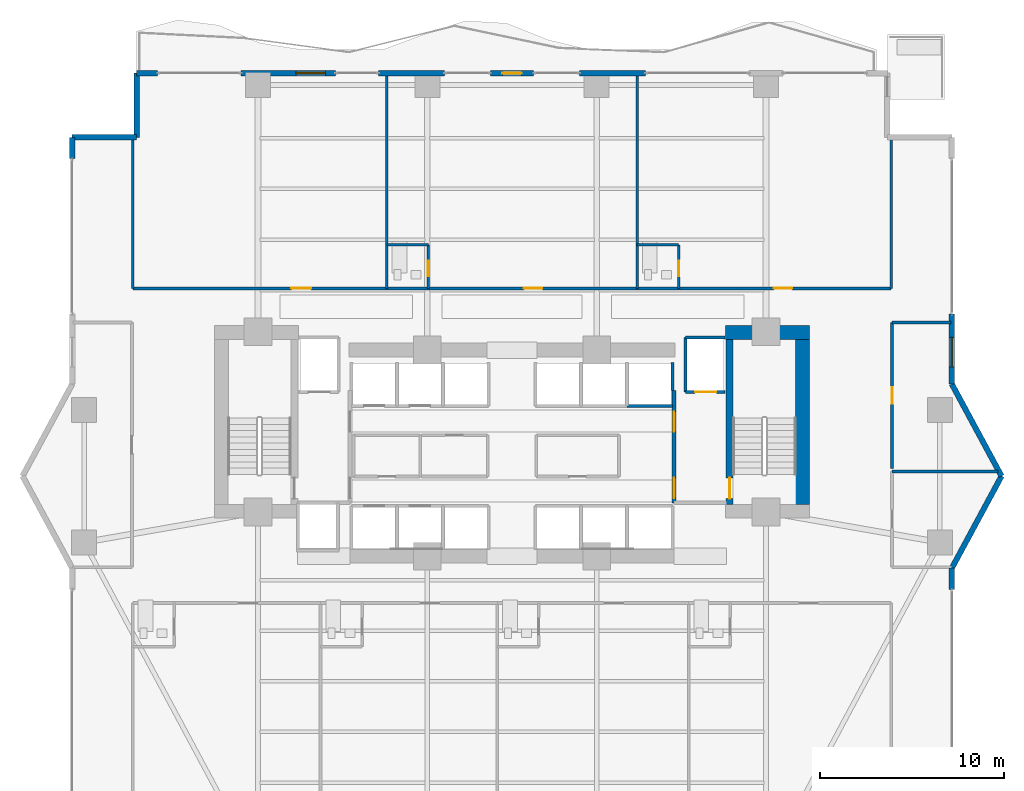
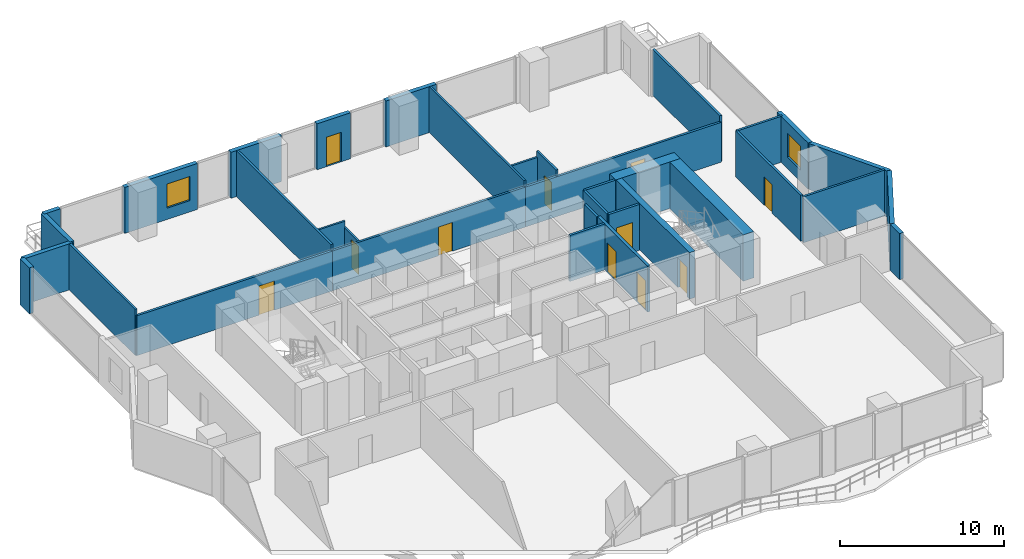
# One storey, part 23 of 28: 35 walls, 11 doors, 2 windows, 13 openings.
"""IFC4 building model written with IfcOpenShell, lengths in metres."""

from ifc_helpers import new_model, si_unit, direction, frame, frame_2d, origin, place, context, subcontext, project, spatial, rectangle, extrude, material, layer, layer_set, type_object, element, fill, save


model = new_model("IFC4")

# Units and contexts
model_context = context("Model", 3, precision=1e-05, world=origin(), true_north=direction((0.0, 1.0)))
body_context = subcontext(model_context, "Body", "Model", "MODEL_VIEW")
ifc_project = project(units=[si_unit("LENGTHUNIT", "METRE"), si_unit("AREAUNIT", "SQUARE_METRE"), si_unit("VOLUMEUNIT", "CUBIC_METRE"), si_unit("PLANEANGLEUNIT", "RADIAN"), si_unit("MASSUNIT", "GRAM", prefix="KILO")], contexts=[model_context])

# Site, building, storey
site_placement = place(None, origin())
site = spatial("IfcSite", under=ifc_project, at=site_placement, CompositionType="ELEMENT")
building_placement = place(site_placement, origin())
building = spatial("IfcBuilding", under=site, at=building_placement, Name="Zuhayl Quay Hotel", CompositionType="ELEMENT")
storey_placement = place(building_placement, frame((0.0, 0.0, 139.449951171875)))
storey = spatial("IfcBuildingStorey", under=building, at=storey_placement, Name="L35", CompositionType="ELEMENT", Elevation=139.449951171875)

# Walls
ifc_material_1 = material(Name="Concrete C60/75", Category="concrete")
ifc_layer_1 = layer(ifc_material_1, 0.75, Name="Concrete C60/75", Category="concrete")
ifc_layer_set_1 = layer_set([ifc_layer_1], Name="Concrete C60/75")
wall_type_1 = type_object("IfcWallType", Name="WL_CORE_750", PredefinedType="SHEAR", material=ifc_layer_set_1)
wall_1_placement = place(storey_placement, frame((11.60009765625, 14.304931640625, 0.0), z_axis=(0.0, 0.0, 1.0), x_axis=(1.0, 0.0, 0.0)))
element("IfcWall", 1, at=wall_1_placement, inside=storey, type_object=wall_type_1, Name="L35 Core Shear Wall CW_NE", PredefinedType="SHEAR", context=body_context, shape_type="SweptSolid", body=[
    extrude(rectangle(XDim=4.559814453125, YDim=0.75, at=frame_2d((2.27978515625, 0.0))), origin(), (0.0, 0.0, 1.0), 3.4599609375),
])
wall_2_placement = place(storey_placement, frame((15.784912109375, 4.969970703125, 0.0), z_axis=(0.0, 0.0, 1.0), x_axis=(0.0, 1.0, 0.0)))
element("IfcWall", 2, at=wall_2_placement, inside=storey, type_object=wall_type_1, Name="L35 Core Shear Wall CW_E", PredefinedType="SHEAR", context=body_context, shape_type="SweptSolid", body=[
    extrude(rectangle(XDim=8.9599609375, YDim=0.75, at=frame_2d((4.47998046875, 0.0))), origin(), (0.0, 0.0, 1.0), 3.4599609375),
])
ifc_material_2 = material(Name="Precast concrete C45/55", Category="concrete")
ifc_layer_2 = layer(ifc_material_2, 0.300048828125, Name="Precast concrete C45/55", Category="concrete")
ifc_layer_set_2 = layer_set([ifc_layer_2], Name="Precast concrete C45/55")
wall_type_2 = type_object("IfcWallType", Name="WL_EXT_300", PredefinedType="STANDARD", material=ifc_layer_set_2)
wall_3_placement = place(storey_placement, frame((-23.89990234375, 23.75, 0.0), z_axis=(0.0, 0.0, 1.0), x_axis=(0.0, 1.0, 0.0)))
element("IfcWall", 3, at=wall_3_placement, inside=storey, type_object=wall_type_2, Name="L35 Exterior Precast Wall ENV_L35_E05_EW2", PredefinedType="STANDARD", context=body_context, shape_type="SweptSolid", body=[
    extrude(rectangle(XDim=1.14990234375, YDim=0.300048828125, at=frame_2d((0.574951171875, 0.0))), origin(), (0.0, 0.0, 1.0), 3.429931640625),
])
for number, where, z_axis, x_axis, name in (
    (4, (-23.89990234375, 24.89990234375, 0.0), (0.0, 0.0, 1.0), (1.0, 0.0, 0.0), "L35 Exterior Precast Wall ENV_L35_EW06"),
    (5, (-20.39990234375, 24.89990234375, 0.0), (0.0, 0.0, 1.0), (0.0, 1.0, 0.0), "L35 Exterior Precast Wall ENV_L35_EW07"),
):
    element("IfcWall", number, at=place(storey_placement, frame(where, z_axis=z_axis, x_axis=x_axis)), inside=storey, type_object=wall_type_2, Name=name, PredefinedType="STANDARD", context=body_context, shape_type="SweptSolid", body=[
        extrude(rectangle(XDim=3.5, YDim=0.300048828125, at=frame_2d((1.75, 0.0))), origin(), (0.0, 0.0, 1.0), 3.429931640625),
    ])
wall_4_placement = place(storey_placement, frame((-20.39990234375, 28.39990234375, 0.0), z_axis=(0.0, 0.0, 1.0), x_axis=(1.0, 0.0, 0.0)))
element("IfcWall", 6, at=wall_4_placement, inside=storey, type_object=wall_type_2, Name="L35 Exterior Precast Wall ENV_L35_N_EW1", PredefinedType="STANDARD", context=body_context, shape_type="SweptSolid", body=[
    extrude(rectangle(XDim=1.14990234375, YDim=0.300048828125, at=frame_2d((0.574951171875, 0.0))), origin(), (0.0, 0.0, 1.0), 3.429931640625),
])

# Wall, opening, window
wall_5_placement = place(storey_placement, frame((-14.719970703125, 28.39990234375, 0.0), z_axis=(0.0, 0.0, 1.0), x_axis=(1.0, 0.0, 0.0)))
wall_5 = element("IfcWall", 7, at=wall_5_placement, inside=storey, type_object=wall_type_2, Name="L35 Exterior Precast Wall ENV_L35_N_EW2", PredefinedType="STANDARD", context=body_context, shape_type="SweptSolid", body=[
    extrude(rectangle(XDim=5.1298828125, YDim=0.300048828125, at=frame_2d((2.56494140625, 0.0))), origin(), (0.0, 0.0, 1.0), 3.429931640625),
])
opening_1_placement = place(wall_5_placement, frame((2.97998046875, 0.0, 0.85009765625)))
opening_1 = element("IfcOpeningElement", 8, at=opening_1_placement, cuts=wall_5, Name="Opening W01", PredefinedType="OPENING", context=body_context, shape_type="SweptSolid", body=[
    extrude(rectangle(XDim=1.60009765625, YDim=1.800048828125, at=frame_2d((0.800048828125, 0.89990234375))), frame((0.0, 0.159912109375, 0.0), z_axis=(0.0, -1.0, 0.0), x_axis=(1.0, 0.0, 0.0)), (0.0, 0.0, 1.0), 0.320068359375),
])
ifc_material_3 = material(Name="Dark Ceramic-Fritted Solar Glass", Category="glass")
window_type = type_object("IfcWindowType", Name="WN_OPERABLE_1600", PartitioningType="DOUBLE_PANEL_VERTICAL", PredefinedType="WINDOW", material=ifc_material_3)
window_1_placement = place(opening_1_placement, origin())
window_1 = element("IfcWindow", 9, at=window_1_placement, inside=storey, type_object=window_type, Name="L35 North Operable Casement Window", OverallHeight=1.800048828125, OverallWidth=1.60009765625, PartitioningType="SINGLE_PANEL", PredefinedType="WINDOW", context=body_context, shape_type="SweptSolid", body=[
    extrude(rectangle(XDim=1.60009765625, YDim=1.800048828125, at=frame_2d((0.800048828125, 0.89990234375))), frame((0.0, 0.030029296875, 0.0), z_axis=(0.0, -1.0, 0.0), x_axis=(1.0, 0.0, 0.0)), (0.0, 0.0, 1.0), 0.06005859375),
])
fill(opening_1, window_1)

# Wall
wall_6_placement = place(storey_placement, frame((-7.25, 28.39990234375, 0.0), z_axis=(0.0, 0.0, 1.0), x_axis=(1.0, 0.0, 0.0)))
element("IfcWall", 10, at=wall_6_placement, inside=storey, type_object=wall_type_2, Name="L35 Exterior Precast Wall ENV_L35_N_EW3", PredefinedType="STANDARD", context=body_context, shape_type="SweptSolid", body=[
    extrude(rectangle(XDim=3.570068359375, YDim=0.300048828125, at=frame_2d((1.78515625, 0.0))), origin(), (0.0, 0.0, 1.0), 3.429931640625),
])

# Wall, opening, door
wall_7_placement = place(storey_placement, frame((-1.175048828125, 28.39990234375, 0.0), z_axis=(0.0, 0.0, 1.0), x_axis=(1.0, 0.0, 0.0)))
wall_7 = element("IfcWall", 11, at=wall_7_placement, inside=storey, type_object=wall_type_2, Name="L35 Exterior Precast Wall ENV_L35_N_EW4", PredefinedType="STANDARD", context=body_context, shape_type="SweptSolid", body=[
    extrude(rectangle(XDim=2.35009765625, YDim=0.300048828125, at=frame_2d((1.175048828125, 0.0))), origin(), (0.0, 0.0, 1.0), 3.429931640625),
])
opening_2_placement = place(wall_7_placement, frame((0.64990234375, 0.0, 0.0)))
opening_2 = element("IfcOpeningElement", 12, at=opening_2_placement, cuts=wall_7, Name="Opening DG1", PredefinedType="OPENING", context=body_context, shape_type="SweptSolid", body=[
    extrude(rectangle(XDim=1.050048828125, YDim=2.199951171875, at=frame_2d((0.52490234375, 1.10009765625))), frame((0.0, 0.159912109375, 0.0), z_axis=(0.0, -1.0, 0.0), x_axis=(1.0, 0.0, 0.0)), (0.0, 0.0, 1.0), 0.320068359375),
])
ifc_material_4 = material(Name="Anodised Aluminium and Dark Solar Glass", Category="aluminium")
door_type_1 = type_object("IfcDoorType", Name="DR_EXT_TERR_1050", OperationType="NOTDEFINED", PredefinedType="DOOR", material=ifc_material_4)
door_1_placement = place(opening_2_placement, origin())
door_1 = element("IfcDoor", 13, at=door_1_placement, inside=storey, type_object=door_type_1, Name="L35 North Rippling Balcony Door", OperationType="SINGLE_SWING_LEFT", OverallHeight=2.199951171875, OverallWidth=1.050048828125, PredefinedType="DOOR", context=body_context, shape_type="SweptSolid", body=[
    extrude(rectangle(XDim=1.050048828125, YDim=2.199951171875, at=frame_2d((0.52490234375, 1.10009765625))), frame((0.0, 0.02490234375, 0.0), z_axis=(0.0, -1.0, 0.0), x_axis=(1.0, 0.0, 0.0)), (0.0, 0.0, 1.0), 0.050048828125),
])
fill(opening_2, door_1)

# Wall
wall_8_placement = place(storey_placement, frame((3.679931640625, 28.39990234375, 0.0), z_axis=(0.0, 0.0, 1.0), x_axis=(1.0, 0.0, 0.0)))
element("IfcWall", 14, at=wall_8_placement, inside=storey, type_object=wall_type_2, Name="L35 Exterior Precast Wall ENV_L35_N_EW5", PredefinedType="STANDARD", context=body_context, shape_type="SweptSolid", body=[
    extrude(rectangle(XDim=3.570068359375, YDim=0.300048828125, at=frame_2d((1.78515625, 0.0))), origin(), (0.0, 0.0, 1.0), 3.429931640625),
])

# Wall, opening, window
wall_9_placement = place(storey_placement, frame((23.89990234375, 15.300048828125, 0.0), z_axis=(0.0, 0.0, 1.0), x_axis=(0.0, -1.0, 0.0)))
wall_9 = element("IfcWall", 15, at=wall_9_placement, inside=storey, type_object=wall_type_2, Name="L35 Exterior Precast Wall ENV_L35_E11_EW2", PredefinedType="STANDARD", context=body_context, shape_type="SweptSolid", body=[
    extrude(rectangle(XDim=3.800048828125, YDim=0.300048828125, at=frame_2d((1.89990234375, 0.0))), origin(), (0.0, 0.0, 1.0), 3.429931640625),
])
opening_3_placement = place(wall_9_placement, frame((1.264892578125, 0.0, 0.85009765625)))
opening_3 = element("IfcOpeningElement", 16, at=opening_3_placement, cuts=wall_9, Name="Opening W01", PredefinedType="OPENING", context=body_context, shape_type="SweptSolid", body=[
    extrude(rectangle(XDim=1.60009765625, YDim=1.800048828125, at=frame_2d((0.800048828125, 0.89990234375))), frame((0.0, 0.159912109375, 0.0), z_axis=(0.0, -1.0, 0.0), x_axis=(1.0, 0.0, 0.0)), (0.0, 0.0, 1.0), 0.320068359375),
])
window_2_placement = place(opening_3_placement, origin())
window_2 = element("IfcWindow", 17, at=window_2_placement, inside=storey, type_object=window_type, Name="L35 Operable Facade Window 2-1", OverallHeight=1.800048828125, OverallWidth=1.60009765625, PartitioningType="SINGLE_PANEL", PredefinedType="WINDOW", context=body_context, shape_type="SweptSolid", body=[
    extrude(rectangle(XDim=1.60009765625, YDim=1.800048828125, at=frame_2d((0.800048828125, 0.89990234375))), frame((0.0, 0.030029296875, 0.0), z_axis=(0.0, -1.0, 0.0), x_axis=(1.0, 0.0, 0.0)), (0.0, 0.0, 1.0), 0.06005859375),
])
fill(opening_3, window_2)

# Walls
for number, where, z_axis, x_axis, name in (
    (18, (23.89990234375, 11.5, 0.0), (0.0, 0.0, 1.0), (0.475175525499, -0.879891027325, 0.0), "L35 Exterior Precast Wall ENV_L35_EW12"),
    (19, (26.60009765625, 6.5, 0.0), (0.0, 0.0, 1.0), (-0.475175525499, -0.879891027325, 0.0), "L35 Exterior Precast Wall ENV_L35_EW13"),
):
    element("IfcWall", number, at=place(storey_placement, frame(where, z_axis=z_axis, x_axis=x_axis)), inside=storey, type_object=wall_type_2, Name=name, PredefinedType="STANDARD", context=body_context, shape_type="SweptSolid", body=[
        extrude(rectangle(XDim=5.6826171875, YDim=0.300048828125, at=frame_2d((2.84130859375, 0.0))), origin(), (0.0, 0.0, 1.0), 3.429931640625),
    ])
wall_10_placement = place(storey_placement, frame((23.89990234375, 1.5, 0.0), z_axis=(0.0, 0.0, 1.0), x_axis=(0.0, -1.0, 0.0)))
element("IfcWall", 20, at=wall_10_placement, inside=storey, type_object=wall_type_2, Name="L35 Exterior Precast Wall ENV_L35_E14_EW1", PredefinedType="STANDARD", context=body_context, shape_type="SweptSolid", body=[
    extrude(rectangle(XDim=1.14990234375, YDim=0.300048828125, at=frame_2d((0.574951171875, 0.0))), origin(), (0.0, 0.0, 1.0), 3.429931640625),
])
ifc_material_5 = material(Name="Acoustic Gypsum Partition STC-58")
ifc_layer_3 = layer(ifc_material_5, 0.14990234375, Name="Acoustic Gypsum Partition STC-58")
ifc_layer_set_3 = layer_set([ifc_layer_3], Name="Acoustic Gypsum Partition STC-58")
wall_type_3 = type_object("IfcWallType", Name="WL_PART_150", PredefinedType="PARTITIONING", material=ifc_layer_set_3)
wall_11_placement = place(storey_placement, frame((-20.60009765625, 16.699951171875, 0.0), z_axis=(0.0, 0.0, 1.0), x_axis=(0.0, 1.0, 0.0)))
element("IfcWall", 21, at=wall_11_placement, inside=storey, type_object=wall_type_3, Name="L35 Partition IW_L35_NSAL_0_W", PredefinedType="PARTITIONING", context=body_context, shape_type="SweptSolid", body=[
    extrude(rectangle(XDim=8.14013671875, YDim=0.14990234375, at=frame_2d((4.070068359375, 0.0))), origin(), (0.0, 0.0, 1.0), 3.429931640625),
])
wall_12_placement = place(storey_placement, frame((-6.800048828125, 16.699951171875, 0.0), z_axis=(0.0, 0.0, 1.0), x_axis=(0.0, 1.0, 0.0)))
element("IfcWall", 22, at=wall_12_placement, inside=storey, type_object=wall_type_3, Name="L35 Partition IW_L35_NSAL_0_E", PredefinedType="PARTITIONING", context=body_context, shape_type="SweptSolid", body=[
    extrude(rectangle(XDim=11.64013671875, YDim=0.14990234375, at=frame_2d((5.820068359375, 0.0))), origin(), (0.0, 0.0, 1.0), 3.429931640625),
])
wall_13_placement = place(storey_placement, frame((6.800048828125, 16.699951171875, 0.0), z_axis=(0.0, 0.0, 1.0), x_axis=(0.0, 1.0, 0.0)))
element("IfcWall", 23, at=wall_13_placement, inside=storey, type_object=wall_type_3, Name="L35 Partition IW_L35_NU02_E", PredefinedType="PARTITIONING", context=body_context, shape_type="SweptSolid", body=[
    extrude(rectangle(XDim=11.6201171875, YDim=0.14990234375, at=frame_2d((5.81005859375, 0.0))), origin(), (0.0, 0.0, 1.0), 3.429931640625),
])
wall_14_placement = place(storey_placement, frame((20.60009765625, 16.699951171875, 0.0), z_axis=(0.0, 0.0, 1.0), x_axis=(0.0, 1.0, 0.0)))
element("IfcWall", 24, at=wall_14_placement, inside=storey, type_object=wall_type_3, Name="L35 Partition IW_L35_NU03_E", PredefinedType="PARTITIONING", context=body_context, shape_type="SweptSolid", body=[
    extrude(rectangle(XDim=8.199951171875, YDim=0.14990234375, at=frame_2d((4.10009765625, 0.0))), origin(), (0.0, 0.0, 1.0), 3.429931640625),
])
wall_15_placement = place(storey_placement, frame((20.64990234375, 6.75, 0.0), z_axis=(0.0, 0.0, 1.0), x_axis=(1.0, 0.0, 0.0)))
element("IfcWall", 25, at=wall_15_placement, inside=storey, type_object=wall_type_3, Name="L35 Partition IW_L35_HK_MAIN_N", PredefinedType="PARTITIONING", context=body_context, shape_type="SweptSolid", body=[
    extrude(rectangle(XDim=5.755126953125, YDim=0.14990234375, at=frame_2d((2.87744140625, 0.0))), origin(), (0.0, 0.0, 1.0), 3.429931640625),
])
wall_16_placement = place(storey_placement, frame((20.64990234375, 14.85009765625, 0.0), z_axis=(0.0, 0.0, 1.0), x_axis=(1.0, 0.0, 0.0)))
element("IfcWall", 26, at=wall_16_placement, inside=storey, type_object=wall_type_3, Name="L35 Partition IW_L35_EFLK_2_N", PredefinedType="PARTITIONING", context=body_context, shape_type="SweptSolid", body=[
    extrude(rectangle(XDim=3.190185546875, YDim=0.14990234375, at=frame_2d((1.59521484375, 0.0))), origin(), (0.0, 0.0, 1.0), 3.429931640625),
])

# Wall, opening, door
ifc_layer_4 = layer(ifc_material_5, 0.159912109375, Name="Acoustic Gypsum Partition STC-58")
ifc_layer_set_4 = layer_set([ifc_layer_4], Name="Acoustic Gypsum Partition STC-58")
wall_type_4 = type_object("IfcWallType", Name="WL_PART_CORR_160", PredefinedType="PARTITIONING", material=ifc_layer_set_4)
wall_17_placement = place(storey_placement, frame((-20.60009765625, 16.699951171875, 0.0), z_axis=(0.0, 0.0, 1.0), x_axis=(1.0, 0.0, 0.0)))
wall_17 = element("IfcWall", 27, at=wall_17_placement, inside=storey, type_object=wall_type_4, Name="L35 Partition IW_L35_NSAL_0_S", PredefinedType="PARTITIONING", context=body_context, shape_type="SweptSolid", body=[
    extrude(rectangle(XDim=13.800048828125, YDim=0.159912109375, at=frame_2d((6.89990234375, 0.0))), origin(), (0.0, 0.0, 1.0), 2.97314453125),
])
opening_4_placement = place(wall_17_placement, frame((8.610107421875, 0.0, 0.0)))
opening_4 = element("IfcOpeningElement", 28, at=opening_4_placement, cuts=wall_17, Name="Opening D05A", PredefinedType="OPENING", context=body_context, shape_type="SweptSolid", body=[
    extrude(rectangle(XDim=1.080078125, YDim=2.179931640625, at=frame_2d((0.5400390625, 1.08984375))), frame((0.0, 0.08984375, 0.0), z_axis=(0.0, -1.0, 0.0), x_axis=(1.0, 0.0, 0.0)), (0.0, 0.0, 1.0), 0.179931640625),
])
ifc_material_6 = material(Name="Solid Walnut Acoustic Fire Door")
door_type_2 = type_object("IfcDoorType", Name="DR_INT_1100", OperationType="NOTDEFINED", PredefinedType="DOOR", material=ifc_material_6)
door_2_placement = place(opening_4_placement, origin())
door_2 = element("IfcDoor", 29, at=door_2_placement, inside=storey, type_object=door_type_2, Name="L35 Majlis Reception Lounge Door", OperationType="SINGLE_SWING_LEFT", OverallHeight=2.179931640625, OverallWidth=1.080078125, PredefinedType="DOOR", context=body_context, shape_type="SweptSolid", body=[
    extrude(rectangle(XDim=1.080078125, YDim=2.179931640625, at=frame_2d((0.5400390625, 1.08984375))), frame((0.0, 0.02490234375, 0.0), z_axis=(0.0, -1.0, 0.0), x_axis=(1.0, 0.0, 0.0)), (0.0, 0.0, 1.0), 0.050048828125),
])
fill(opening_4, door_2)

wall_18_placement = place(storey_placement, frame((-6.800048828125, 16.699951171875, 0.0), z_axis=(0.0, 0.0, 1.0), x_axis=(1.0, 0.0, 0.0)))
wall_18 = element("IfcWall", 30, at=wall_18_placement, inside=storey, type_object=wall_type_4, Name="L35 Partition IW_L35_NU02_COR", PredefinedType="PARTITIONING", context=body_context, shape_type="SweptSolid", body=[
    extrude(rectangle(XDim=13.60009765625, YDim=0.159912109375, at=frame_2d((6.800048828125, 0.0))), origin(), (0.0, 0.0, 1.0), 2.97314453125),
])
opening_5_placement = place(wall_18_placement, frame((7.449951171875, 0.0, 0.0)))
opening_5 = element("IfcOpeningElement", 31, at=opening_5_placement, cuts=wall_18, Name="Opening D03L", PredefinedType="OPENING", context=body_context, shape_type="SweptSolid", body=[
    extrude(rectangle(XDim=1.0, YDim=2.14990234375, at=frame_2d((0.5, 1.074951171875))), frame((0.0, 0.08984375, 0.0), z_axis=(0.0, -1.0, 0.0), x_axis=(1.0, 0.0, 0.0)), (0.0, 0.0, 1.0), 0.179931640625),
])
door_type_3 = type_object("IfcDoorType", Name="DR_SUITE_1000", OperationType="NOTDEFINED", PredefinedType="DOOR", material=ifc_material_6)
door_3_placement = place(opening_5_placement, origin())
door_3 = element("IfcDoor", 32, at=door_3_placement, inside=storey, type_object=door_type_3, Name="L35 Executive Suite L35-02 Entrance Door", OperationType="SINGLE_SWING_LEFT", OverallHeight=2.14990234375, OverallWidth=1.0, PredefinedType="DOOR", context=body_context, shape_type="SweptSolid", body=[
    extrude(rectangle(XDim=1.0, YDim=2.14990234375, at=frame_2d((0.5, 1.074951171875))), frame((0.0, 0.02490234375, 0.0), z_axis=(0.0, -1.0, 0.0), x_axis=(1.0, 0.0, 0.0)), (0.0, 0.0, 1.0), 0.050048828125),
])
fill(opening_5, door_3)

wall_19_placement = place(storey_placement, frame((6.800048828125, 16.699951171875, 0.0), z_axis=(0.0, 0.0, 1.0), x_axis=(1.0, 0.0, 0.0)))
wall_19 = element("IfcWall", 33, at=wall_19_placement, inside=storey, type_object=wall_type_4, Name="L35 Partition IW_L35_NU03_COR", PredefinedType="PARTITIONING", context=body_context, shape_type="SweptSolid", body=[
    extrude(rectangle(XDim=13.800048828125, YDim=0.159912109375, at=frame_2d((6.89990234375, 0.0))), origin(), (0.0, 0.0, 1.0), 2.97314453125),
])
opening_6_placement = place(wall_19_placement, frame((7.425048828125, 0.0, 0.0)))
opening_6 = element("IfcOpeningElement", 34, at=opening_6_placement, cuts=wall_19, Name="Opening D03L", PredefinedType="OPENING", context=body_context, shape_type="SweptSolid", body=[
    extrude(rectangle(XDim=1.0, YDim=2.14990234375, at=frame_2d((0.5, 1.074951171875))), frame((0.0, 0.08984375, 0.0), z_axis=(0.0, -1.0, 0.0), x_axis=(1.0, 0.0, 0.0)), (0.0, 0.0, 1.0), 0.179931640625),
])
door_4_placement = place(opening_6_placement, origin())
door_4 = element("IfcDoor", 35, at=door_4_placement, inside=storey, type_object=door_type_3, Name="L35 Executive Suite L35-03 Entrance Door", OperationType="SINGLE_SWING_LEFT", OverallHeight=2.14990234375, OverallWidth=1.0, PredefinedType="DOOR", context=body_context, shape_type="SweptSolid", body=[
    extrude(rectangle(XDim=1.0, YDim=2.14990234375, at=frame_2d((0.5, 1.074951171875))), frame((0.0, 0.02490234375, 0.0), z_axis=(0.0, -1.0, 0.0), x_axis=(1.0, 0.0, 0.0)), (0.0, 0.0, 1.0), 0.050048828125),
])
fill(opening_6, door_4)

wall_20_placement = place(storey_placement, frame((20.64990234375, 6.909912109375, 0.0), z_axis=(0.0, 0.0, 1.0), x_axis=(0.0, 1.0, 0.0)))
wall_20 = element("IfcWall", 36, at=wall_20_placement, inside=storey, type_object=wall_type_4, Name="L35 Partition IW_L35_EFLK_2_W", PredefinedType="PARTITIONING", context=body_context, shape_type="SweptSolid", body=[
    extrude(rectangle(XDim=7.940185546875, YDim=0.159912109375, at=frame_2d((3.97021484375, 0.0))), origin(), (0.0, 0.0, 1.0), 3.429931640625),
])
opening_7_placement = place(wall_20_placement, frame((3.510009765625, 0.0, 0.0)))
opening_7 = element("IfcOpeningElement", 37, at=opening_7_placement, cuts=wall_20, Name="Opening D05", PredefinedType="OPENING", context=body_context, shape_type="SweptSolid", body=[
    extrude(rectangle(XDim=0.919921875, YDim=2.1201171875, at=frame_2d((0.4599609375, 1.06005859375))), frame((0.0, 0.08984375, 0.0), z_axis=(0.0, -1.0, 0.0), x_axis=(1.0, 0.0, 0.0)), (0.0, 0.0, 1.0), 0.179931640625),
])
door_type_4 = type_object("IfcDoorType", Name="DR_INT_950", OperationType="NOTDEFINED", PredefinedType="DOOR", material=ifc_material_6)
door_5_placement = place(opening_7_placement, origin())
door_5 = element("IfcDoor", 38, at=door_5_placement, inside=storey, type_object=door_type_4, Name="L35 East Prow Reading Lounge L35 Door", OperationType="SINGLE_SWING_LEFT", OverallHeight=2.1201171875, OverallWidth=0.919921875, PredefinedType="DOOR", context=body_context, shape_type="SweptSolid", body=[
    extrude(rectangle(XDim=0.919921875, YDim=2.1201171875, at=frame_2d((0.4599609375, 1.06005859375))), frame((0.0, 0.02490234375, 0.0), z_axis=(0.0, -1.0, 0.0), x_axis=(1.0, 0.0, 0.0)), (0.0, 0.0, 1.0), 0.050048828125),
])
fill(opening_7, door_5)

ifc_material_7 = material(Name="Moisture-Resistant Sanitarychase Gypsum")
ifc_layer_5 = layer(ifc_material_7, 0.135009765625, Name="Moisture-Resistant Sanitarychase Gypsum")
ifc_layer_set_5 = layer_set([ifc_layer_5], Name="Moisture-Resistant Sanitarychase Gypsum")
wall_type_5 = type_object("IfcWallType", Name="WL_PART_PLUMB_150", PredefinedType="PLUMBINGWALL", material=ifc_layer_set_5)
wall_21_placement = place(storey_placement, frame((-4.5400390625, 16.699951171875, 0.0), z_axis=(0.0, 0.0, 1.0), x_axis=(0.0, 1.0, 0.0)))
wall_21 = element("IfcWall", 39, at=wall_21_placement, inside=storey, type_object=wall_type_5, Name="L35 Partition IW_L35_NU02_BE", PredefinedType="PLUMBINGWALL", context=body_context, shape_type="SweptSolid", body=[
    extrude(rectangle(XDim=2.360107421875, YDim=0.135009765625, at=frame_2d((1.18017578125, 0.0))), origin(), (0.0, 0.0, 1.0), 2.5029296875),
])
opening_8_placement = place(wall_21_placement, frame((0.64990234375, 0.0, 0.0)))
opening_8 = element("IfcOpeningElement", 40, at=opening_8_placement, cuts=wall_21, Name="Opening D04", PredefinedType="OPENING", context=body_context, shape_type="SweptSolid", body=[
    extrude(rectangle(XDim=0.85009765625, YDim=2.10009765625, at=frame_2d((0.425048828125, 1.050048828125))), frame((0.0, 0.077392578125, 0.0), z_axis=(0.0, -1.0, 0.0), x_axis=(1.0, 0.0, 0.0)), (0.0, 0.0, 1.0), 0.155029296875),
])
ifc_material_8 = material(Name="Moisture-Resistant Walnut Veneer")
door_type_5 = type_object("IfcDoorType", Name="DR_BATH_850", OperationType="NOTDEFINED", PredefinedType="DOOR", material=ifc_material_8)
door_6_placement = place(opening_8_placement, origin())
door_6 = element("IfcDoor", 41, at=door_6_placement, inside=storey, type_object=door_type_5, Name="L35 Executive Suite L35-02 En-Suite Door", OperationType="SINGLE_SWING_RIGHT", OverallHeight=2.10009765625, OverallWidth=0.85009765625, PredefinedType="DOOR", context=body_context, shape_type="SweptSolid", body=[
    extrude(rectangle(XDim=0.85009765625, YDim=2.10009765625, at=frame_2d((0.425048828125, 1.050048828125))), frame((0.0, 0.02490234375, 0.0), z_axis=(0.0, -1.0, 0.0), x_axis=(1.0, 0.0, 0.0)), (0.0, 0.0, 1.0), 0.050048828125),
])
fill(opening_8, door_6)

wall_22_placement = place(storey_placement, frame((9.06005859375, 16.699951171875, 0.0), z_axis=(0.0, 0.0, 1.0), x_axis=(0.0, 1.0, 0.0)))
wall_22 = element("IfcWall", 42, at=wall_22_placement, inside=storey, type_object=wall_type_5, Name="L35 Partition IW_L35_NU03_BE", PredefinedType="PLUMBINGWALL", context=body_context, shape_type="SweptSolid", body=[
    extrude(rectangle(XDim=2.360107421875, YDim=0.135009765625, at=frame_2d((1.18017578125, 0.0))), origin(), (0.0, 0.0, 1.0), 3.429931640625),
])
opening_9_placement = place(wall_22_placement, frame((0.64990234375, 0.0, 0.0)))
opening_9 = element("IfcOpeningElement", 43, at=opening_9_placement, cuts=wall_22, Name="Opening D04", PredefinedType="OPENING", context=body_context, shape_type="SweptSolid", body=[
    extrude(rectangle(XDim=0.85009765625, YDim=2.10009765625, at=frame_2d((0.425048828125, 1.050048828125))), frame((0.0, 0.077392578125, 0.0), z_axis=(0.0, -1.0, 0.0), x_axis=(1.0, 0.0, 0.0)), (0.0, 0.0, 1.0), 0.155029296875),
])
door_7_placement = place(opening_9_placement, origin())
door_7 = element("IfcDoor", 44, at=door_7_placement, inside=storey, type_object=door_type_5, Name="L35 Executive Suite L35-03 En-Suite Door", OperationType="SINGLE_SWING_RIGHT", OverallHeight=2.10009765625, OverallWidth=0.85009765625, PredefinedType="DOOR", context=body_context, shape_type="SweptSolid", body=[
    extrude(rectangle(XDim=0.85009765625, YDim=2.10009765625, at=frame_2d((0.425048828125, 1.050048828125))), frame((0.0, 0.02490234375, 0.0), z_axis=(0.0, -1.0, 0.0), x_axis=(1.0, 0.0, 0.0)), (0.0, 0.0, 1.0), 0.050048828125),
])
fill(opening_9, door_7)

# Walls
for number, where, z_axis, x_axis, name in (
    (45, (-6.800048828125, 19.06005859375, 0.0), (0.0, 0.0, 1.0), (1.0, 0.0, 0.0), "L35 Partition IW_L35_NU02_BN"),
    (46, (6.800048828125, 19.06005859375, 0.0), (0.0, 0.0, 1.0), (1.0, 0.0, 0.0), "L35 Partition IW_L35_NU03_BN"),
):
    element("IfcWall", number, at=place(storey_placement, frame(where, z_axis=z_axis, x_axis=x_axis)), inside=storey, type_object=wall_type_5, Name=name, PredefinedType="PLUMBINGWALL", context=body_context, shape_type="SweptSolid", body=[
        extrude(rectangle(XDim=2.260009765625, YDim=0.135009765625, at=frame_2d((1.1298828125, 0.0))), origin(), (0.0, 0.0, 1.0), 2.97314453125),
    ])

# Wall, opening, door
ifc_material_9 = material(Name="Gypsum Fireboard Assembly EI-90")
ifc_layer_6 = layer(ifc_material_9, 0.1650390625, Name="Gypsum Fireboard Assembly EI-90")
ifc_layer_set_6 = layer_set([ifc_layer_6], Name="Gypsum Fireboard Assembly EI-90")
wall_type_6 = type_object("IfcWallType", Name="WL_PART_SHAFT_160", PredefinedType="PARTITIONING", material=ifc_layer_set_6)
wall_23_placement = place(storey_placement, frame((9.419921875, 11.070068359375, 0.0), z_axis=(0.0, 0.0, 1.0), x_axis=(1.0, 0.0, 0.0)))
wall_23 = element("IfcWall", 47, at=wall_23_placement, inside=storey, type_object=wall_type_6, Name="L35 Partition IW_L35_SH_FL2_F", PredefinedType="PARTITIONING", context=body_context, shape_type="SweptSolid", body=[
    extrude(rectangle(XDim=2.16015625, YDim=0.1650390625, at=frame_2d((1.080078125, 0.0))), origin(), (0.0, 0.0, 1.0), 3.429931640625),
])
opening_10_placement = place(wall_23_placement, frame((0.530029296875, 0.0, 0.0)))
opening_10 = element("IfcOpeningElement", 48, at=opening_10_placement, cuts=wall_23, Name="Opening LD2", PredefinedType="OPENING", context=body_context, shape_type="SweptSolid", body=[
    extrude(rectangle(XDim=1.14990234375, YDim=2.25, at=frame_2d((0.574951171875, 1.125))), frame((0.0, 0.092529296875, 0.0), z_axis=(0.0, -1.0, 0.0), x_axis=(1.0, 0.0, 0.0)), (0.0, 0.0, 1.0), 0.18505859375),
])
ifc_material_10 = material(Name="Brushed Stainless Steel", Category="steel")
door_type_6 = type_object("IfcDoorType", Name="DR_LIFT_FF_1100", OperationType="SLIDING_TO_LEFT", PredefinedType="DOOR", material=ifc_material_10)
door_8_placement = place(opening_10_placement, origin())
door_8 = element("IfcDoor", 49, at=door_8_placement, inside=storey, type_object=door_type_6, Name="L35 Lift FL2 Sliding Landing Door", OperationType="SLIDING_TO_LEFT", OverallHeight=2.25, OverallWidth=1.14990234375, PredefinedType="DOOR", context=body_context, shape_type="SweptSolid", body=[
    extrude(rectangle(XDim=1.14990234375, YDim=2.25, at=frame_2d((0.574951171875, 1.125))), frame((0.0, 0.02490234375, 0.0), z_axis=(0.0, -1.0, 0.0), x_axis=(1.0, 0.0, 0.0)), (0.0, 0.0, 1.0), 0.050048828125),
])
fill(opening_10, door_8)

# Walls
wall_24_placement = place(storey_placement, frame((9.419921875, 11.070068359375, 0.0), z_axis=(0.0, 0.0, 1.0), x_axis=(0.0, 1.0, 0.0)))
element("IfcWall", 50, at=wall_24_placement, inside=storey, type_object=wall_type_6, Name="L35 Partition IW_L35_SH_FL2_W", PredefinedType="PARTITIONING", context=body_context, shape_type="SweptSolid", body=[
    extrude(rectangle(XDim=2.9599609375, YDim=0.1650390625, at=frame_2d((1.47998046875, 0.0))), origin(), (0.0, 0.0, 1.0), 3.429931640625),
])
wall_25_placement = place(storey_placement, frame((9.419921875, 14.030029296875, 0.0), z_axis=(0.0, 0.0, 1.0), x_axis=(1.0, 0.0, 0.0)))
element("IfcWall", 51, at=wall_25_placement, inside=storey, type_object=wall_type_6, Name="L35 Partition IW_L35_SH_FL2_B", PredefinedType="PARTITIONING", context=body_context, shape_type="SweptSolid", body=[
    extrude(rectangle(XDim=2.16015625, YDim=0.1650390625, at=frame_2d((1.080078125, 0.0))), origin(), (0.0, 0.0, 1.0), 3.429931640625),
])
wall_26_placement = place(storey_placement, frame((6.25, 10.320068359375, 0.0), z_axis=(0.0, 0.0, 1.0), x_axis=(1.0, 0.0, 0.0)))
element("IfcWall", 52, at=wall_26_placement, inside=storey, type_object=wall_type_6, Name="L35 Partition IW_L35_SH_HP4_F", PredefinedType="PARTITIONING", context=body_context, shape_type="SweptSolid", body=[
    extrude(rectangle(XDim=2.47998046875, YDim=0.1650390625, at=frame_2d((1.239990234375, 0.0))), origin(), (0.0, 0.0, 1.0), 3.429931640625),
])
wall_27_placement = place(storey_placement, frame((8.72998046875, 11.14990234375, 0.0), z_axis=(0.0, 0.0, 1.0), x_axis=(0.0, 1.0, 0.0)))
element("IfcWall", 53, at=wall_27_placement, inside=storey, type_object=wall_type_6, Name="L35 Partition IW_L35_SH_HP4_E", PredefinedType="PARTITIONING", context=body_context, shape_type="SweptSolid", body=[
    extrude(rectangle(XDim=1.530029296875, YDim=0.1650390625, at=frame_2d((0.76513671875, 0.0))), origin(), (0.0, 0.0, 1.0), 3.429931640625),
])

# Wall, openings, doors
ifc_material_11 = material(Name="Gypsum Fireboard Assembly EI-120")
ifc_layer_7 = layer(ifc_material_11, 0.199951171875, Name="Gypsum Fireboard Assembly EI-120")
ifc_layer_set_7 = layer_set([ifc_layer_7], Name="Gypsum Fireboard Assembly EI-120")
wall_type_7 = type_object("IfcWallType", Name="WL_PART_SHAFT_200", PredefinedType="PARTITIONING", material=ifc_layer_set_7)
wall_28_placement = place(storey_placement, frame((8.800048828125, 11.14990234375, 0.0), z_axis=(0.0, 0.0, 1.0), x_axis=(0.0, -1.0, 0.0)))
wall_28 = element("IfcWall", 54, at=wall_28_placement, inside=storey, type_object=wall_type_7, Name="L35 Partition IW_L35_FSAE_E_W", PredefinedType="PARTITIONING", context=body_context, shape_type="SweptSolid", body=[
    extrude(rectangle(XDim=6.099853515625, YDim=0.199951171875, at=frame_2d((3.0498046875, 0.0))), origin(), (0.0, 0.0, 1.0), 3.429931640625),
])
opening_11_placement = place(wall_28_placement, frame((1.14990234375, 0.0, 0.0)))
opening_11 = element("IfcOpeningElement", 55, at=opening_11_placement, cuts=wall_28, Name="Opening D02", PredefinedType="OPENING", context=body_context, shape_type="SweptSolid", body=[
    extrude(rectangle(XDim=1.10009765625, YDim=2.199951171875, at=frame_2d((0.550048828125, 1.10009765625))), frame((0.0, 0.10986328125, 0.0), z_axis=(0.0, -1.0, 0.0), x_axis=(1.0, 0.0, 0.0)), (0.0, 0.0, 1.0), 0.219970703125),
])
opening_12_placement = place(wall_28_placement, frame((4.75, 0.0, 0.0)))
opening_12 = element("IfcOpeningElement", 56, at=opening_12_placement, cuts=wall_28, Name="Opening D02", PredefinedType="OPENING", context=body_context, shape_type="SweptSolid", body=[
    extrude(rectangle(XDim=1.10009765625, YDim=2.199951171875, at=frame_2d((0.550048828125, 1.10009765625))), frame((0.0, 0.10986328125, 0.0), z_axis=(0.0, -1.0, 0.0), x_axis=(1.0, 0.0, 0.0)), (0.0, 0.0, 1.0), 0.219970703125),
])
ifc_material_12 = material(Name="Steel ASTM A992 Grade 50", Category="steel")
door_type_7 = type_object("IfcDoorType", Name="DR_FIRE_90_1100", OperationType="NOTDEFINED", PredefinedType="DOOR", material=ifc_material_12)
door_9_placement = place(opening_11_placement, origin())
door_9 = element("IfcDoor", 57, at=door_9_placement, inside=storey, type_object=door_type_7, Name="L35 FSAE Lobby East North Entry Door", OperationType="SINGLE_SWING_RIGHT", OverallHeight=2.199951171875, OverallWidth=1.10009765625, PredefinedType="DOOR", context=body_context, shape_type="SweptSolid", body=[
    extrude(rectangle(XDim=1.10009765625, YDim=2.199951171875, at=frame_2d((0.550048828125, 1.10009765625))), frame((0.0, 0.02490234375, 0.0), z_axis=(0.0, -1.0, 0.0), x_axis=(1.0, 0.0, 0.0)), (0.0, 0.0, 1.0), 0.050048828125),
])
fill(opening_11, door_9)
door_10_placement = place(opening_12_placement, origin())
door_10 = element("IfcDoor", 58, at=door_10_placement, inside=storey, type_object=door_type_7, Name="L35 FSAE Lobby East South Entry Door", OperationType="SINGLE_SWING_LEFT", OverallHeight=2.199951171875, OverallWidth=1.10009765625, PredefinedType="DOOR", context=body_context, shape_type="SweptSolid", body=[
    extrude(rectangle(XDim=1.10009765625, YDim=2.199951171875, at=frame_2d((0.550048828125, 1.10009765625))), frame((0.0, 0.02490234375, 0.0), z_axis=(0.0, -1.0, 0.0), x_axis=(1.0, 0.0, 0.0)), (0.0, 0.0, 1.0), 0.050048828125),
])
fill(opening_12, door_10)

# Wall, opening, door
ifc_layer_8 = layer(ifc_material_1, 0.39990234375, Name="Concrete C60/75", Category="concrete")
ifc_layer_set_8 = layer_set([ifc_layer_8], Name="Concrete C60/75")
wall_type_8 = type_object("IfcWallType", Name="WL_STAIR_400", PredefinedType="SHEAR", material=ifc_layer_set_8)
wall_29_placement = place(storey_placement, frame((11.820068359375, 13.929931640625, 0.0), z_axis=(0.0, 0.0, 1.0), x_axis=(0.0, -1.0, 0.0)))
wall_29 = element("IfcWall", 59, at=wall_29_placement, inside=storey, type_object=wall_type_8, Name="L35 Core Shear Wall SW_ST2", PredefinedType="SHEAR", context=body_context, shape_type="SweptSolid", body=[
    extrude(rectangle(XDim=8.9599609375, YDim=0.39990234375, at=frame_2d((4.47998046875, 0.0))), origin(), (0.0, 0.0, 1.0), 3.4599609375),
])
opening_13_placement = place(wall_29_placement, frame((7.530029296875, 0.0, 0.0)))
opening_13 = element("IfcOpeningElement", 60, at=opening_13_placement, cuts=wall_29, Name="Opening D01", PredefinedType="OPENING", context=body_context, shape_type="SweptSolid", body=[
    extrude(rectangle(XDim=1.1201171875, YDim=2.219970703125, at=frame_2d((0.56005859375, 1.10986328125))), frame((0.0, 0.2099609375, 0.0), z_axis=(0.0, -1.0, 0.0), x_axis=(1.0, 0.0, 0.0)), (0.0, 0.0, 1.0), 0.419921875),
])
door_type_8 = type_object("IfcDoorType", Name="DR_STAIR_90_1100", OperationType="NOTDEFINED", PredefinedType="DOOR", material=ifc_material_12)
door_11_placement = place(opening_13_placement, origin())
door_11 = element("IfcDoor", 61, at=door_11_placement, inside=storey, type_object=door_type_8, Name="L35 Smokeproof Exit Stair ST2 Door", OperationType="SINGLE_SWING_RIGHT", OverallHeight=2.219970703125, OverallWidth=1.1201171875, PredefinedType="DOOR", context=body_context, shape_type="SweptSolid", body=[
    extrude(rectangle(XDim=1.1201171875, YDim=2.219970703125, at=frame_2d((0.56005859375, 1.10986328125))), frame((0.0, 0.02490234375, 0.0), z_axis=(0.0, -1.0, 0.0), x_axis=(1.0, 0.0, 0.0)), (0.0, 0.0, 1.0), 0.050048828125),
])
fill(opening_13, door_11)

save(model, "model.ifc")
